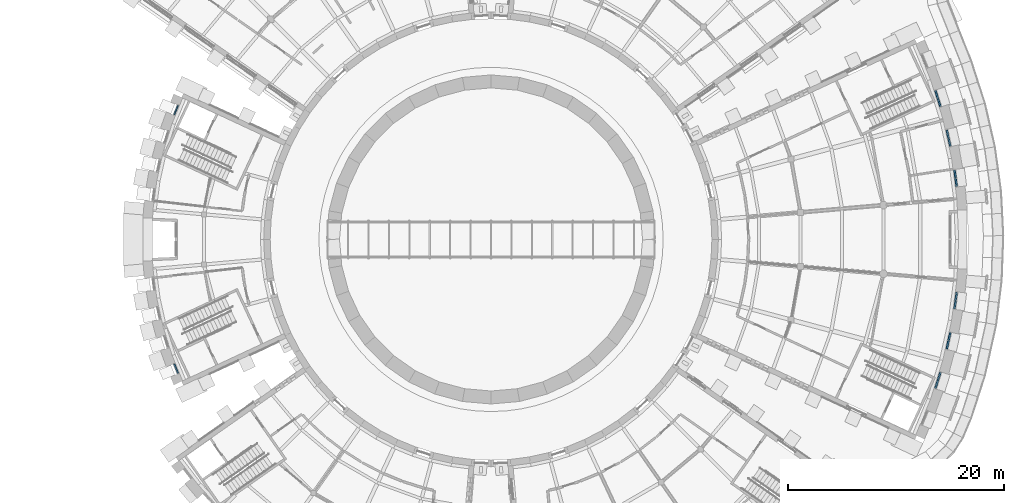
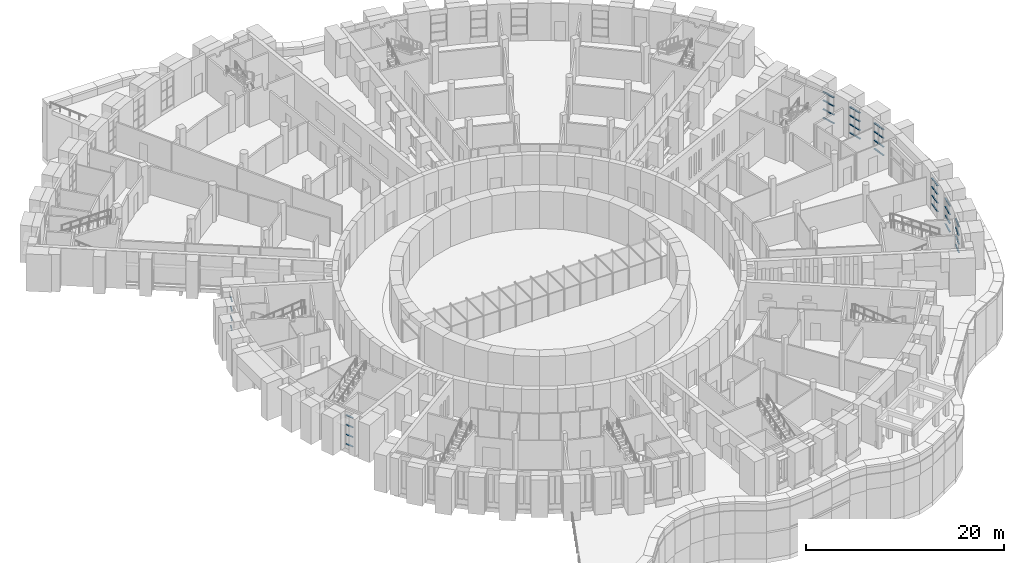
# One storey, part 30 of 85: 56 members, 8 elements without a shape of their own.
"""IFC4 building model written with IfcOpenShell, lengths in metres."""

from ifc_helpers import new_model, si_unit, direction, frame, origin, origin_2d, place, context, subcontext, project, spatial, rectangle, extrude, material, layer, layer_set, material_profile, profile_set, type_object, element, aggregate, save


model = new_model("IFC4")

# Units and contexts
model_context = context("Model", 3, precision=1e-05, world=origin(), true_north=direction((0.0, 1.0)))
body_context = subcontext(model_context, "Body", "Model", "MODEL_VIEW")
ifc_project = project(units=[si_unit("LENGTHUNIT", "METRE"), si_unit("AREAUNIT", "SQUARE_METRE"), si_unit("VOLUMEUNIT", "CUBIC_METRE"), si_unit("PLANEANGLEUNIT", "RADIAN"), si_unit("MASSUNIT", "GRAM", prefix="KILO")], contexts=[model_context])

# Site, building, storey
site_placement = place(None, origin())
site = spatial("IfcSite", under=ifc_project, at=site_placement, CompositionType="ELEMENT")
building_placement = place(site_placement, origin())
building = spatial("IfcBuilding", under=site, at=building_placement, Name="Volute Hill Aquarium", CompositionType="ELEMENT")
storey_placement = place(building_placement, origin())
storey = spatial("IfcBuildingStorey", under=building, at=storey_placement, Name="L01", CompositionType="ELEMENT", Elevation=0.0)

# Curtain wall, members
ifc_material_1 = material(Name="Aluminium", Category="aluminium")
ifc_layer_1 = layer(ifc_material_1, 0.25)
ifc_layer_set_1 = layer_set([ifc_layer_1], Name="Curtain wall niche S1 module 993")
curtain_wall_type_1 = type_object("IfcCurtainWallType", Name="Curtain wall niche S1 module 993", PredefinedType="NOTDEFINED", material=ifc_layer_set_1)
curtain_wall_1_placement = place(storey_placement, origin())
curtain_wall_1 = element("IfcCurtainWall", 1, at=curtain_wall_1_placement, inside=storey, type_object=curtain_wall_type_1, Name="Curtain wall CW S1 L01 1", PredefinedType="NOTDEFINED")
ifc_material_2 = material(Name="Aluminium", Category="aluminium")
ifc_material_profile_1 = material_profile(ifc_material_2, rectangle(XDim=0.1201171875, YDim=0.050048828125, at=origin_2d()), Name="Curtain wall transom S1 50x120")
ifc_profile_set_1 = profile_set([ifc_material_profile_1], Name="Aluminium")
member_type_1 = type_object("IfcMemberType", Name="Curtain wall transom S1 50x120", PredefinedType="USERDEFINED", material=ifc_profile_set_1)
member_1_placement = place(storey_placement, frame((-28.918701171875, 12.353271484375, 0.47509765625), z_axis=(-0.382633610127, -0.923900167984, 0.0), x_axis=(0.923900167984, -0.382633610127, 0.0)))
member_1 = element("IfcMember", 2, at=member_1_placement, type_object=member_type_1, Name="CW transom 1.1", ObjectType="TRANSOM", PredefinedType="USERDEFINED", context=body_context, shape_type="SweptSolid", body=[
    extrude(rectangle(XDim=0.1201171875, YDim=0.050048828125, at=origin_2d()), origin(), (0.0, 0.0, 1.0), 0.892578125),
])
member_2_placement = place(storey_placement, frame((-28.918701171875, 12.353271484375, 1.64990234375), z_axis=(-0.382633610127, -0.923900167984, 0.0), x_axis=(0.923900167984, -0.382633610127, 0.0)))
member_2 = element("IfcMember", 3, at=member_2_placement, type_object=member_type_1, Name="CW transom 1.2", ObjectType="TRANSOM", PredefinedType="USERDEFINED", context=body_context, shape_type="SweptSolid", body=[
    extrude(rectangle(XDim=0.1201171875, YDim=0.050048828125, at=origin_2d()), origin(), (0.0, 0.0, 1.0), 0.892578125),
])
member_3_placement = place(storey_placement, frame((-28.918701171875, 12.353271484375, 2.85009765625), z_axis=(-0.382633610127, -0.923900167984, 0.0), x_axis=(0.923900167984, -0.382633610127, 0.0)))
member_3 = element("IfcMember", 4, at=member_3_placement, type_object=member_type_1, Name="CW transom 1.3", ObjectType="TRANSOM", PredefinedType="USERDEFINED", context=body_context, shape_type="SweptSolid", body=[
    extrude(rectangle(XDim=0.1201171875, YDim=0.050048828125, at=origin_2d()), origin(), (0.0, 0.0, 1.0), 0.892578125),
])
member_4_placement = place(storey_placement, frame((-28.918701171875, 12.353271484375, 4.02490234375), z_axis=(-0.382633610127, -0.923900167984, 0.0), x_axis=(0.923900167984, -0.382633610127, 0.0)))
member_4 = element("IfcMember", 5, at=member_4_placement, type_object=member_type_1, Name="CW transom 1.4", ObjectType="TRANSOM", PredefinedType="USERDEFINED", context=body_context, shape_type="SweptSolid", body=[
    extrude(rectangle(XDim=0.1201171875, YDim=0.050048828125, at=origin_2d()), origin(), (0.0, 0.0, 1.0), 0.892578125),
])
aggregate(curtain_wall_1, [member_1, member_2, member_3, member_4])

curtain_wall_2_placement = place(storey_placement, origin())
curtain_wall_2 = element("IfcCurtainWall", 6, at=curtain_wall_2_placement, inside=storey, type_object=curtain_wall_type_1, Name="Curtain wall CW S1 L01 10", PredefinedType="NOTDEFINED")
member_5_placement = place(storey_placement, frame((-29.26025390625, -11.528564453125, 0.47509765625), z_axis=(0.382633610127, -0.923900167984, 0.0), x_axis=(0.923900167984, 0.382633610127, 0.0)))
member_5 = element("IfcMember", 7, at=member_5_placement, type_object=member_type_1, Name="CW transom 1.1", ObjectType="TRANSOM", PredefinedType="USERDEFINED", context=body_context, shape_type="SweptSolid", body=[
    extrude(rectangle(XDim=0.1201171875, YDim=0.050048828125, at=origin_2d()), origin(), (0.0, 0.0, 1.0), 0.892578125),
])
member_6_placement = place(storey_placement, frame((-29.26025390625, -11.528564453125, 1.64990234375), z_axis=(0.382633610127, -0.923900167984, 0.0), x_axis=(0.923900167984, 0.382633610127, 0.0)))
member_6 = element("IfcMember", 8, at=member_6_placement, type_object=member_type_1, Name="CW transom 1.2", ObjectType="TRANSOM", PredefinedType="USERDEFINED", context=body_context, shape_type="SweptSolid", body=[
    extrude(rectangle(XDim=0.1201171875, YDim=0.050048828125, at=origin_2d()), origin(), (0.0, 0.0, 1.0), 0.892578125),
])
member_7_placement = place(storey_placement, frame((-29.26025390625, -11.528564453125, 2.85009765625), z_axis=(0.382633610127, -0.923900167984, 0.0), x_axis=(0.923900167984, 0.382633610127, 0.0)))
member_7 = element("IfcMember", 9, at=member_7_placement, type_object=member_type_1, Name="CW transom 1.3", ObjectType="TRANSOM", PredefinedType="USERDEFINED", context=body_context, shape_type="SweptSolid", body=[
    extrude(rectangle(XDim=0.1201171875, YDim=0.050048828125, at=origin_2d()), origin(), (0.0, 0.0, 1.0), 0.892578125),
])
member_8_placement = place(storey_placement, frame((-29.26025390625, -11.528564453125, 4.02490234375), z_axis=(0.382633610127, -0.923900167984, 0.0), x_axis=(0.923900167984, 0.382633610127, 0.0)))
member_8 = element("IfcMember", 10, at=member_8_placement, type_object=member_type_1, Name="CW transom 1.4", ObjectType="TRANSOM", PredefinedType="USERDEFINED", context=body_context, shape_type="SweptSolid", body=[
    extrude(rectangle(XDim=0.1201171875, YDim=0.050048828125, at=origin_2d()), origin(), (0.0, 0.0, 1.0), 0.892578125),
])
aggregate(curtain_wall_2, [member_5, member_6, member_7, member_8])

ifc_material_3 = material(Name="Aluminium", Category="aluminium")
ifc_layer_2 = layer(ifc_material_3, 0.25)
ifc_layer_set_2 = layer_set([ifc_layer_2], Name="Curtain wall niche S4 module 819")
curtain_wall_type_2 = type_object("IfcCurtainWallType", Name="Curtain wall niche S4 module 819", PredefinedType="NOTDEFINED", material=ifc_layer_set_2)
curtain_wall_3_placement = place(storey_placement, origin())
curtain_wall_3 = element("IfcCurtainWall", 11, at=curtain_wall_3_placement, inside=storey, type_object=curtain_wall_type_2, Name="Curtain wall CW S4 L01 2", PredefinedType="NOTDEFINED")
ifc_material_4 = material(Name="Aluminium", Category="aluminium")
ifc_material_profile_2 = material_profile(ifc_material_4, rectangle(XDim=0.14990234375, YDim=0.06005859375, at=origin_2d()), Name="Curtain wall transom S4 60x150")
ifc_profile_set_2 = profile_set([ifc_material_profile_2], Name="Aluminium")
member_type_2 = type_object("IfcMemberType", Name="Curtain wall transom S4 60x150", PredefinedType="USERDEFINED", material=ifc_profile_set_2)
member_9_placement = place(storey_placement, frame((41.052001953125, -13.7392578125, 0.780029296875), z_axis=(0.300810716557, 0.953683864184, 0.0), x_axis=(-0.953683864184, 0.300810716557, 0.0)))
member_9 = element("IfcMember", 12, at=member_9_placement, type_object=member_type_2, Name="CW transom 1.1", ObjectType="TRANSOM", PredefinedType="USERDEFINED", context=body_context, shape_type="SweptSolid", body=[
    extrude(rectangle(XDim=0.14990234375, YDim=0.06005859375, at=origin_2d()), origin(), (0.0, 0.0, 1.0), 0.728759765625),
])
member_10_placement = place(storey_placement, frame((41.052001953125, -13.7392578125, 1.833251953125), z_axis=(0.300810716557, 0.953683864184, 0.0), x_axis=(-0.953683864184, 0.300810716557, 0.0)))
member_10 = element("IfcMember", 13, at=member_10_placement, type_object=member_type_2, Name="CW transom 1.2", ObjectType="TRANSOM", PredefinedType="USERDEFINED", context=body_context, shape_type="SweptSolid", body=[
    extrude(rectangle(XDim=0.14990234375, YDim=0.06005859375, at=origin_2d()), origin(), (0.0, 0.0, 1.0), 0.728759765625),
])
member_11_placement = place(storey_placement, frame((41.052001953125, -13.7392578125, 2.916748046875), z_axis=(0.300810716557, 0.953683864184, 0.0), x_axis=(-0.953683864184, 0.300810716557, 0.0)))
member_11 = element("IfcMember", 14, at=member_11_placement, type_object=member_type_2, Name="CW transom 1.3", ObjectType="TRANSOM", PredefinedType="USERDEFINED", context=body_context, shape_type="SweptSolid", body=[
    extrude(rectangle(XDim=0.14990234375, YDim=0.06005859375, at=origin_2d()), origin(), (0.0, 0.0, 1.0), 0.728759765625),
])
member_12_placement = place(storey_placement, frame((41.052001953125, -13.7392578125, 3.969970703125), z_axis=(0.300810716557, 0.953683864184, 0.0), x_axis=(-0.953683864184, 0.300810716557, 0.0)))
member_12 = element("IfcMember", 15, at=member_12_placement, type_object=member_type_2, Name="CW transom 1.4", ObjectType="TRANSOM", PredefinedType="USERDEFINED", context=body_context, shape_type="SweptSolid", body=[
    extrude(rectangle(XDim=0.14990234375, YDim=0.06005859375, at=origin_2d()), origin(), (0.0, 0.0, 1.0), 0.728759765625),
])
member_13_placement = place(storey_placement, frame((41.289306640625, -12.987060546875, 0.780029296875), z_axis=(0.300506003221, 0.953779923267, 0.0), x_axis=(-0.953779923267, 0.300506003221, 0.0)))
member_13 = element("IfcMember", 16, at=member_13_placement, type_object=member_type_2, Name="CW transom 2.1", ObjectType="TRANSOM", PredefinedType="USERDEFINED", context=body_context, shape_type="SweptSolid", body=[
    extrude(rectangle(XDim=0.14990234375, YDim=0.06005859375, at=origin_2d()), origin(), (0.0, 0.0, 1.0), 0.728759765625),
])
member_14_placement = place(storey_placement, frame((41.289306640625, -12.987060546875, 1.833251953125), z_axis=(0.300506003221, 0.953779923267, 0.0), x_axis=(-0.953779923267, 0.300506003221, 0.0)))
member_14 = element("IfcMember", 17, at=member_14_placement, type_object=member_type_2, Name="CW transom 2.2", ObjectType="TRANSOM", PredefinedType="USERDEFINED", context=body_context, shape_type="SweptSolid", body=[
    extrude(rectangle(XDim=0.14990234375, YDim=0.06005859375, at=origin_2d()), origin(), (0.0, 0.0, 1.0), 0.728759765625),
])
member_15_placement = place(storey_placement, frame((41.289306640625, -12.987060546875, 2.916748046875), z_axis=(0.300506003221, 0.953779923267, 0.0), x_axis=(-0.953779923267, 0.300506003221, 0.0)))
member_15 = element("IfcMember", 18, at=member_15_placement, type_object=member_type_2, Name="CW transom 2.3", ObjectType="TRANSOM", PredefinedType="USERDEFINED", context=body_context, shape_type="SweptSolid", body=[
    extrude(rectangle(XDim=0.14990234375, YDim=0.06005859375, at=origin_2d()), origin(), (0.0, 0.0, 1.0), 0.728759765625),
])
member_16_placement = place(storey_placement, frame((41.289306640625, -12.987060546875, 3.969970703125), z_axis=(0.300506003221, 0.953779923267, 0.0), x_axis=(-0.953779923267, 0.300506003221, 0.0)))
member_16 = element("IfcMember", 19, at=member_16_placement, type_object=member_type_2, Name="CW transom 2.4", ObjectType="TRANSOM", PredefinedType="USERDEFINED", context=body_context, shape_type="SweptSolid", body=[
    extrude(rectangle(XDim=0.14990234375, YDim=0.06005859375, at=origin_2d()), origin(), (0.0, 0.0, 1.0), 0.728759765625),
])
aggregate(curtain_wall_3, [member_9, member_10, member_11, member_12, member_13, member_14, member_15, member_16])

curtain_wall_4_placement = place(storey_placement, origin())
curtain_wall_4 = element("IfcCurtainWall", 20, at=curtain_wall_4_placement, inside=storey, type_object=curtain_wall_type_2, Name="Curtain wall CW S4 L01 3", PredefinedType="NOTDEFINED")
member_17_placement = place(storey_placement, frame((42.09326171875, -10.109130859375, 0.780029296875), z_axis=(0.216433786926, 0.976297298919, 0.0), x_axis=(-0.976297298919, 0.216433786926, 0.0)))
member_17 = element("IfcMember", 21, at=member_17_placement, type_object=member_type_2, Name="CW transom 1.1", ObjectType="TRANSOM", PredefinedType="USERDEFINED", context=body_context, shape_type="SweptSolid", body=[
    extrude(rectangle(XDim=0.14990234375, YDim=0.06005859375, at=origin_2d()), origin(), (0.0, 0.0, 1.0), 0.728759765625),
])
member_18_placement = place(storey_placement, frame((42.09326171875, -10.109130859375, 1.833251953125), z_axis=(0.216433786926, 0.976297298919, 0.0), x_axis=(-0.976297298919, 0.216433786926, 0.0)))
member_18 = element("IfcMember", 22, at=member_18_placement, type_object=member_type_2, Name="CW transom 1.2", ObjectType="TRANSOM", PredefinedType="USERDEFINED", context=body_context, shape_type="SweptSolid", body=[
    extrude(rectangle(XDim=0.14990234375, YDim=0.06005859375, at=origin_2d()), origin(), (0.0, 0.0, 1.0), 0.728759765625),
])
member_19_placement = place(storey_placement, frame((42.09326171875, -10.109130859375, 2.916748046875), z_axis=(0.216433786926, 0.976297298919, 0.0), x_axis=(-0.976297298919, 0.216433786926, 0.0)))
member_19 = element("IfcMember", 23, at=member_19_placement, type_object=member_type_2, Name="CW transom 1.3", ObjectType="TRANSOM", PredefinedType="USERDEFINED", context=body_context, shape_type="SweptSolid", body=[
    extrude(rectangle(XDim=0.14990234375, YDim=0.06005859375, at=origin_2d()), origin(), (0.0, 0.0, 1.0), 0.728759765625),
])
member_20_placement = place(storey_placement, frame((42.09326171875, -10.109130859375, 3.969970703125), z_axis=(0.216433786926, 0.976297298919, 0.0), x_axis=(-0.976297298919, 0.216433786926, 0.0)))
member_20 = element("IfcMember", 24, at=member_20_placement, type_object=member_type_2, Name="CW transom 1.4", ObjectType="TRANSOM", PredefinedType="USERDEFINED", context=body_context, shape_type="SweptSolid", body=[
    extrude(rectangle(XDim=0.14990234375, YDim=0.06005859375, at=origin_2d()), origin(), (0.0, 0.0, 1.0), 0.728759765625),
])
member_21_placement = place(storey_placement, frame((42.263916015625, -9.339111328125, 0.780029296875), z_axis=(0.216433786926, 0.976297298919, 0.0), x_axis=(-0.976297298919, 0.216433786926, 0.0)))
member_21 = element("IfcMember", 25, at=member_21_placement, type_object=member_type_2, Name="CW transom 2.1", ObjectType="TRANSOM", PredefinedType="USERDEFINED", context=body_context, shape_type="SweptSolid", body=[
    extrude(rectangle(XDim=0.14990234375, YDim=0.06005859375, at=origin_2d()), origin(), (0.0, 0.0, 1.0), 0.728759765625),
])
member_22_placement = place(storey_placement, frame((42.263916015625, -9.339111328125, 1.833251953125), z_axis=(0.216433786926, 0.976297298919, 0.0), x_axis=(-0.976297298919, 0.216433786926, 0.0)))
member_22 = element("IfcMember", 26, at=member_22_placement, type_object=member_type_2, Name="CW transom 2.2", ObjectType="TRANSOM", PredefinedType="USERDEFINED", context=body_context, shape_type="SweptSolid", body=[
    extrude(rectangle(XDim=0.14990234375, YDim=0.06005859375, at=origin_2d()), origin(), (0.0, 0.0, 1.0), 0.728759765625),
])
member_23_placement = place(storey_placement, frame((42.263916015625, -9.339111328125, 2.916748046875), z_axis=(0.216433786926, 0.976297298919, 0.0), x_axis=(-0.976297298919, 0.216433786926, 0.0)))
member_23 = element("IfcMember", 27, at=member_23_placement, type_object=member_type_2, Name="CW transom 2.3", ObjectType="TRANSOM", PredefinedType="USERDEFINED", context=body_context, shape_type="SweptSolid", body=[
    extrude(rectangle(XDim=0.14990234375, YDim=0.06005859375, at=origin_2d()), origin(), (0.0, 0.0, 1.0), 0.728759765625),
])
member_24_placement = place(storey_placement, frame((42.263916015625, -9.339111328125, 3.969970703125), z_axis=(0.216433786926, 0.976297298919, 0.0), x_axis=(-0.976297298919, 0.216433786926, 0.0)))
member_24 = element("IfcMember", 28, at=member_24_placement, type_object=member_type_2, Name="CW transom 2.4", ObjectType="TRANSOM", PredefinedType="USERDEFINED", context=body_context, shape_type="SweptSolid", body=[
    extrude(rectangle(XDim=0.14990234375, YDim=0.06005859375, at=origin_2d()), origin(), (0.0, 0.0, 1.0), 0.728759765625),
])
aggregate(curtain_wall_4, [member_17, member_18, member_19, member_20, member_21, member_22, member_23, member_24])

curtain_wall_5_placement = place(storey_placement, origin())
curtain_wall_5 = element("IfcCurtainWall", 29, at=curtain_wall_5_placement, inside=storey, type_object=curtain_wall_type_2, Name="Curtain wall CW S4 L01 4", PredefinedType="NOTDEFINED")
member_25_placement = place(storey_placement, frame((42.814208984375, -6.40185546875, 0.780029296875), z_axis=(0.130341833664, 0.991469115201, 0.0), x_axis=(-0.991469115201, 0.130341833664, 0.0)))
member_25 = element("IfcMember", 30, at=member_25_placement, type_object=member_type_2, Name="CW transom 1.1", ObjectType="TRANSOM", PredefinedType="USERDEFINED", context=body_context, shape_type="SweptSolid", body=[
    extrude(rectangle(XDim=0.14990234375, YDim=0.06005859375, at=origin_2d()), origin(), (0.0, 0.0, 1.0), 0.728515625),
])
member_26_placement = place(storey_placement, frame((42.814208984375, -6.40185546875, 1.833251953125), z_axis=(0.130341833664, 0.991469115201, 0.0), x_axis=(-0.991469115201, 0.130341833664, 0.0)))
member_26 = element("IfcMember", 31, at=member_26_placement, type_object=member_type_2, Name="CW transom 1.2", ObjectType="TRANSOM", PredefinedType="USERDEFINED", context=body_context, shape_type="SweptSolid", body=[
    extrude(rectangle(XDim=0.14990234375, YDim=0.06005859375, at=origin_2d()), origin(), (0.0, 0.0, 1.0), 0.728515625),
])
member_27_placement = place(storey_placement, frame((42.814208984375, -6.40185546875, 2.916748046875), z_axis=(0.130341833664, 0.991469115201, 0.0), x_axis=(-0.991469115201, 0.130341833664, 0.0)))
member_27 = element("IfcMember", 32, at=member_27_placement, type_object=member_type_2, Name="CW transom 1.3", ObjectType="TRANSOM", PredefinedType="USERDEFINED", context=body_context, shape_type="SweptSolid", body=[
    extrude(rectangle(XDim=0.14990234375, YDim=0.06005859375, at=origin_2d()), origin(), (0.0, 0.0, 1.0), 0.728515625),
])
member_28_placement = place(storey_placement, frame((42.814208984375, -6.40185546875, 3.969970703125), z_axis=(0.130341833664, 0.991469115201, 0.0), x_axis=(-0.991469115201, 0.130341833664, 0.0)))
member_28 = element("IfcMember", 33, at=member_28_placement, type_object=member_type_2, Name="CW transom 1.4", ObjectType="TRANSOM", PredefinedType="USERDEFINED", context=body_context, shape_type="SweptSolid", body=[
    extrude(rectangle(XDim=0.14990234375, YDim=0.06005859375, at=origin_2d()), origin(), (0.0, 0.0, 1.0), 0.728515625),
])
member_29_placement = place(storey_placement, frame((42.9169921875, -5.619873046875, 0.780029296875), z_axis=(0.130671188566, 0.991425761456, 0.0), x_axis=(-0.991425761456, 0.130671188566, 0.0)))
member_29 = element("IfcMember", 34, at=member_29_placement, type_object=member_type_2, Name="CW transom 2.1", ObjectType="TRANSOM", PredefinedType="USERDEFINED", context=body_context, shape_type="SweptSolid", body=[
    extrude(rectangle(XDim=0.14990234375, YDim=0.06005859375, at=origin_2d()), origin(), (0.0, 0.0, 1.0), 0.728759765625),
])
member_30_placement = place(storey_placement, frame((42.9169921875, -5.619873046875, 1.833251953125), z_axis=(0.130671188566, 0.991425761456, 0.0), x_axis=(-0.991425761456, 0.130671188566, 0.0)))
member_30 = element("IfcMember", 35, at=member_30_placement, type_object=member_type_2, Name="CW transom 2.2", ObjectType="TRANSOM", PredefinedType="USERDEFINED", context=body_context, shape_type="SweptSolid", body=[
    extrude(rectangle(XDim=0.14990234375, YDim=0.06005859375, at=origin_2d()), origin(), (0.0, 0.0, 1.0), 0.728759765625),
])
member_31_placement = place(storey_placement, frame((42.9169921875, -5.619873046875, 2.916748046875), z_axis=(0.130671188566, 0.991425761456, 0.0), x_axis=(-0.991425761456, 0.130671188566, 0.0)))
member_31 = element("IfcMember", 36, at=member_31_placement, type_object=member_type_2, Name="CW transom 2.3", ObjectType="TRANSOM", PredefinedType="USERDEFINED", context=body_context, shape_type="SweptSolid", body=[
    extrude(rectangle(XDim=0.14990234375, YDim=0.06005859375, at=origin_2d()), origin(), (0.0, 0.0, 1.0), 0.728759765625),
])
member_32_placement = place(storey_placement, frame((42.9169921875, -5.619873046875, 3.969970703125), z_axis=(0.130671188566, 0.991425761456, 0.0), x_axis=(-0.991425761456, 0.130671188566, 0.0)))
member_32 = element("IfcMember", 37, at=member_32_placement, type_object=member_type_2, Name="CW transom 2.4", ObjectType="TRANSOM", PredefinedType="USERDEFINED", context=body_context, shape_type="SweptSolid", body=[
    extrude(rectangle(XDim=0.14990234375, YDim=0.06005859375, at=origin_2d()), origin(), (0.0, 0.0, 1.0), 0.728759765625),
])
aggregate(curtain_wall_5, [member_25, member_26, member_27, member_28, member_29, member_30, member_31, member_32])

curtain_wall_6_placement = place(storey_placement, origin())
curtain_wall_6 = element("IfcCurtainWall", 38, at=curtain_wall_6_placement, inside=storey, type_object=curtain_wall_type_2, Name="Curtain wall CW S4 L01 7", PredefinedType="NOTDEFINED")
member_33_placement = place(storey_placement, frame((43.01220703125, 4.8974609375, 0.780029296875), z_axis=(-0.130671188566, 0.991425761456, 0.0), x_axis=(-0.991425761456, -0.130671188566, 0.0)))
member_33 = element("IfcMember", 39, at=member_33_placement, type_object=member_type_2, Name="CW transom 1.1", ObjectType="TRANSOM", PredefinedType="USERDEFINED", context=body_context, shape_type="SweptSolid", body=[
    extrude(rectangle(XDim=0.14990234375, YDim=0.06005859375, at=origin_2d()), origin(), (0.0, 0.0, 1.0), 0.728759765625),
])
member_34_placement = place(storey_placement, frame((43.01220703125, 4.8974609375, 1.833251953125), z_axis=(-0.130671188566, 0.991425761456, 0.0), x_axis=(-0.991425761456, -0.130671188566, 0.0)))
member_34 = element("IfcMember", 40, at=member_34_placement, type_object=member_type_2, Name="CW transom 1.2", ObjectType="TRANSOM", PredefinedType="USERDEFINED", context=body_context, shape_type="SweptSolid", body=[
    extrude(rectangle(XDim=0.14990234375, YDim=0.06005859375, at=origin_2d()), origin(), (0.0, 0.0, 1.0), 0.728759765625),
])
member_35_placement = place(storey_placement, frame((43.01220703125, 4.8974609375, 2.916748046875), z_axis=(-0.130671188566, 0.991425761456, 0.0), x_axis=(-0.991425761456, -0.130671188566, 0.0)))
member_35 = element("IfcMember", 41, at=member_35_placement, type_object=member_type_2, Name="CW transom 1.3", ObjectType="TRANSOM", PredefinedType="USERDEFINED", context=body_context, shape_type="SweptSolid", body=[
    extrude(rectangle(XDim=0.14990234375, YDim=0.06005859375, at=origin_2d()), origin(), (0.0, 0.0, 1.0), 0.728759765625),
])
member_36_placement = place(storey_placement, frame((43.01220703125, 4.8974609375, 3.969970703125), z_axis=(-0.130671188566, 0.991425761456, 0.0), x_axis=(-0.991425761456, -0.130671188566, 0.0)))
member_36 = element("IfcMember", 42, at=member_36_placement, type_object=member_type_2, Name="CW transom 1.4", ObjectType="TRANSOM", PredefinedType="USERDEFINED", context=body_context, shape_type="SweptSolid", body=[
    extrude(rectangle(XDim=0.14990234375, YDim=0.06005859375, at=origin_2d()), origin(), (0.0, 0.0, 1.0), 0.728759765625),
])
member_37_placement = place(storey_placement, frame((42.9091796875, 5.679443359375, 0.780029296875), z_axis=(-0.130341833664, 0.991469115201, 0.0), x_axis=(-0.991469115201, -0.130341833664, 0.0)))
member_37 = element("IfcMember", 43, at=member_37_placement, type_object=member_type_2, Name="CW transom 2.1", ObjectType="TRANSOM", PredefinedType="USERDEFINED", context=body_context, shape_type="SweptSolid", body=[
    extrude(rectangle(XDim=0.14990234375, YDim=0.06005859375, at=origin_2d()), origin(), (0.0, 0.0, 1.0), 0.728515625),
])
member_38_placement = place(storey_placement, frame((42.9091796875, 5.679443359375, 1.833251953125), z_axis=(-0.130341833664, 0.991469115201, 0.0), x_axis=(-0.991469115201, -0.130341833664, 0.0)))
member_38 = element("IfcMember", 44, at=member_38_placement, type_object=member_type_2, Name="CW transom 2.2", ObjectType="TRANSOM", PredefinedType="USERDEFINED", context=body_context, shape_type="SweptSolid", body=[
    extrude(rectangle(XDim=0.14990234375, YDim=0.06005859375, at=origin_2d()), origin(), (0.0, 0.0, 1.0), 0.728515625),
])
member_39_placement = place(storey_placement, frame((42.9091796875, 5.679443359375, 2.916748046875), z_axis=(-0.130341833664, 0.991469115201, 0.0), x_axis=(-0.991469115201, -0.130341833664, 0.0)))
member_39 = element("IfcMember", 45, at=member_39_placement, type_object=member_type_2, Name="CW transom 2.3", ObjectType="TRANSOM", PredefinedType="USERDEFINED", context=body_context, shape_type="SweptSolid", body=[
    extrude(rectangle(XDim=0.14990234375, YDim=0.06005859375, at=origin_2d()), origin(), (0.0, 0.0, 1.0), 0.728515625),
])
member_40_placement = place(storey_placement, frame((42.9091796875, 5.679443359375, 3.969970703125), z_axis=(-0.130341833664, 0.991469115201, 0.0), x_axis=(-0.991469115201, -0.130341833664, 0.0)))
member_40 = element("IfcMember", 46, at=member_40_placement, type_object=member_type_2, Name="CW transom 2.4", ObjectType="TRANSOM", PredefinedType="USERDEFINED", context=body_context, shape_type="SweptSolid", body=[
    extrude(rectangle(XDim=0.14990234375, YDim=0.06005859375, at=origin_2d()), origin(), (0.0, 0.0, 1.0), 0.728515625),
])
aggregate(curtain_wall_6, [member_33, member_34, member_35, member_36, member_37, member_38, member_39, member_40])

curtain_wall_7_placement = place(storey_placement, origin())
curtain_wall_7 = element("IfcCurtainWall", 47, at=curtain_wall_7_placement, inside=storey, type_object=curtain_wall_type_2, Name="Curtain wall CW S4 L01 8", PredefinedType="NOTDEFINED")
member_41_placement = place(storey_placement, frame((42.421630859375, 8.62744140625, 0.780029296875), z_axis=(-0.216433786926, 0.976297298919, 0.0), x_axis=(-0.976297298919, -0.216433786926, 0.0)))
member_41 = element("IfcMember", 48, at=member_41_placement, type_object=member_type_2, Name="CW transom 1.1", ObjectType="TRANSOM", PredefinedType="USERDEFINED", context=body_context, shape_type="SweptSolid", body=[
    extrude(rectangle(XDim=0.14990234375, YDim=0.06005859375, at=origin_2d()), origin(), (0.0, 0.0, 1.0), 0.728759765625),
])
member_42_placement = place(storey_placement, frame((42.421630859375, 8.62744140625, 1.833251953125), z_axis=(-0.216433786926, 0.976297298919, 0.0), x_axis=(-0.976297298919, -0.216433786926, 0.0)))
member_42 = element("IfcMember", 49, at=member_42_placement, type_object=member_type_2, Name="CW transom 1.2", ObjectType="TRANSOM", PredefinedType="USERDEFINED", context=body_context, shape_type="SweptSolid", body=[
    extrude(rectangle(XDim=0.14990234375, YDim=0.06005859375, at=origin_2d()), origin(), (0.0, 0.0, 1.0), 0.728759765625),
])
member_43_placement = place(storey_placement, frame((42.421630859375, 8.62744140625, 2.916748046875), z_axis=(-0.216433786926, 0.976297298919, 0.0), x_axis=(-0.976297298919, -0.216433786926, 0.0)))
member_43 = element("IfcMember", 50, at=member_43_placement, type_object=member_type_2, Name="CW transom 1.3", ObjectType="TRANSOM", PredefinedType="USERDEFINED", context=body_context, shape_type="SweptSolid", body=[
    extrude(rectangle(XDim=0.14990234375, YDim=0.06005859375, at=origin_2d()), origin(), (0.0, 0.0, 1.0), 0.728759765625),
])
member_44_placement = place(storey_placement, frame((42.421630859375, 8.62744140625, 3.969970703125), z_axis=(-0.216433786926, 0.976297298919, 0.0), x_axis=(-0.976297298919, -0.216433786926, 0.0)))
member_44 = element("IfcMember", 51, at=member_44_placement, type_object=member_type_2, Name="CW transom 1.4", ObjectType="TRANSOM", PredefinedType="USERDEFINED", context=body_context, shape_type="SweptSolid", body=[
    extrude(rectangle(XDim=0.14990234375, YDim=0.06005859375, at=origin_2d()), origin(), (0.0, 0.0, 1.0), 0.728759765625),
])
member_45_placement = place(storey_placement, frame((42.2509765625, 9.3974609375, 0.780029296875), z_axis=(-0.216433786926, 0.976297298919, 0.0), x_axis=(-0.976297298919, -0.216433786926, 0.0)))
member_45 = element("IfcMember", 52, at=member_45_placement, type_object=member_type_2, Name="CW transom 2.1", ObjectType="TRANSOM", PredefinedType="USERDEFINED", context=body_context, shape_type="SweptSolid", body=[
    extrude(rectangle(XDim=0.14990234375, YDim=0.06005859375, at=origin_2d()), origin(), (0.0, 0.0, 1.0), 0.728759765625),
])
member_46_placement = place(storey_placement, frame((42.2509765625, 9.3974609375, 1.833251953125), z_axis=(-0.216433786926, 0.976297298919, 0.0), x_axis=(-0.976297298919, -0.216433786926, 0.0)))
member_46 = element("IfcMember", 53, at=member_46_placement, type_object=member_type_2, Name="CW transom 2.2", ObjectType="TRANSOM", PredefinedType="USERDEFINED", context=body_context, shape_type="SweptSolid", body=[
    extrude(rectangle(XDim=0.14990234375, YDim=0.06005859375, at=origin_2d()), origin(), (0.0, 0.0, 1.0), 0.728759765625),
])
member_47_placement = place(storey_placement, frame((42.2509765625, 9.3974609375, 2.916748046875), z_axis=(-0.216433786926, 0.976297298919, 0.0), x_axis=(-0.976297298919, -0.216433786926, 0.0)))
member_47 = element("IfcMember", 54, at=member_47_placement, type_object=member_type_2, Name="CW transom 2.3", ObjectType="TRANSOM", PredefinedType="USERDEFINED", context=body_context, shape_type="SweptSolid", body=[
    extrude(rectangle(XDim=0.14990234375, YDim=0.06005859375, at=origin_2d()), origin(), (0.0, 0.0, 1.0), 0.728759765625),
])
member_48_placement = place(storey_placement, frame((42.2509765625, 9.3974609375, 3.969970703125), z_axis=(-0.216433786926, 0.976297298919, 0.0), x_axis=(-0.976297298919, -0.216433786926, 0.0)))
member_48 = element("IfcMember", 55, at=member_48_placement, type_object=member_type_2, Name="CW transom 2.4", ObjectType="TRANSOM", PredefinedType="USERDEFINED", context=body_context, shape_type="SweptSolid", body=[
    extrude(rectangle(XDim=0.14990234375, YDim=0.06005859375, at=origin_2d()), origin(), (0.0, 0.0, 1.0), 0.728759765625),
])
aggregate(curtain_wall_7, [member_41, member_42, member_43, member_44, member_45, member_46, member_47, member_48])

curtain_wall_8_placement = place(storey_placement, origin())
curtain_wall_8 = element("IfcCurtainWall", 56, at=curtain_wall_8_placement, inside=storey, type_object=curtain_wall_type_2, Name="Curtain wall CW S4 L01 9", PredefinedType="NOTDEFINED")
member_49_placement = place(storey_placement, frame((41.50830078125, 12.2919921875, 0.780029296875), z_axis=(-0.300506003221, 0.953779923267, 0.0), x_axis=(-0.953779923267, -0.300506003221, 0.0)))
member_49 = element("IfcMember", 57, at=member_49_placement, type_object=member_type_2, Name="CW transom 1.1", ObjectType="TRANSOM", PredefinedType="USERDEFINED", context=body_context, shape_type="SweptSolid", body=[
    extrude(rectangle(XDim=0.14990234375, YDim=0.06005859375, at=origin_2d()), origin(), (0.0, 0.0, 1.0), 0.728759765625),
])
member_50_placement = place(storey_placement, frame((41.50830078125, 12.2919921875, 1.833251953125), z_axis=(-0.300506003221, 0.953779923267, 0.0), x_axis=(-0.953779923267, -0.300506003221, 0.0)))
member_50 = element("IfcMember", 58, at=member_50_placement, type_object=member_type_2, Name="CW transom 1.2", ObjectType="TRANSOM", PredefinedType="USERDEFINED", context=body_context, shape_type="SweptSolid", body=[
    extrude(rectangle(XDim=0.14990234375, YDim=0.06005859375, at=origin_2d()), origin(), (0.0, 0.0, 1.0), 0.728759765625),
])
member_51_placement = place(storey_placement, frame((41.50830078125, 12.2919921875, 2.916748046875), z_axis=(-0.300506003221, 0.953779923267, 0.0), x_axis=(-0.953779923267, -0.300506003221, 0.0)))
member_51 = element("IfcMember", 59, at=member_51_placement, type_object=member_type_2, Name="CW transom 1.3", ObjectType="TRANSOM", PredefinedType="USERDEFINED", context=body_context, shape_type="SweptSolid", body=[
    extrude(rectangle(XDim=0.14990234375, YDim=0.06005859375, at=origin_2d()), origin(), (0.0, 0.0, 1.0), 0.728759765625),
])
member_52_placement = place(storey_placement, frame((41.50830078125, 12.2919921875, 3.969970703125), z_axis=(-0.300506003221, 0.953779923267, 0.0), x_axis=(-0.953779923267, -0.300506003221, 0.0)))
member_52 = element("IfcMember", 60, at=member_52_placement, type_object=member_type_2, Name="CW transom 1.4", ObjectType="TRANSOM", PredefinedType="USERDEFINED", context=body_context, shape_type="SweptSolid", body=[
    extrude(rectangle(XDim=0.14990234375, YDim=0.06005859375, at=origin_2d()), origin(), (0.0, 0.0, 1.0), 0.728759765625),
])
member_53_placement = place(storey_placement, frame((41.271240234375, 13.044189453125, 0.780029296875), z_axis=(-0.300810716557, 0.953683864184, 0.0), x_axis=(-0.953683864184, -0.300810716557, 0.0)))
member_53 = element("IfcMember", 61, at=member_53_placement, type_object=member_type_2, Name="CW transom 2.1", ObjectType="TRANSOM", PredefinedType="USERDEFINED", context=body_context, shape_type="SweptSolid", body=[
    extrude(rectangle(XDim=0.14990234375, YDim=0.06005859375, at=origin_2d()), origin(), (0.0, 0.0, 1.0), 0.728759765625),
])
member_54_placement = place(storey_placement, frame((41.271240234375, 13.044189453125, 1.833251953125), z_axis=(-0.300810716557, 0.953683864184, 0.0), x_axis=(-0.953683864184, -0.300810716557, 0.0)))
member_54 = element("IfcMember", 62, at=member_54_placement, type_object=member_type_2, Name="CW transom 2.2", ObjectType="TRANSOM", PredefinedType="USERDEFINED", context=body_context, shape_type="SweptSolid", body=[
    extrude(rectangle(XDim=0.14990234375, YDim=0.06005859375, at=origin_2d()), origin(), (0.0, 0.0, 1.0), 0.728759765625),
])
member_55_placement = place(storey_placement, frame((41.271240234375, 13.044189453125, 2.916748046875), z_axis=(-0.300810716557, 0.953683864184, 0.0), x_axis=(-0.953683864184, -0.300810716557, 0.0)))
member_55 = element("IfcMember", 63, at=member_55_placement, type_object=member_type_2, Name="CW transom 2.3", ObjectType="TRANSOM", PredefinedType="USERDEFINED", context=body_context, shape_type="SweptSolid", body=[
    extrude(rectangle(XDim=0.14990234375, YDim=0.06005859375, at=origin_2d()), origin(), (0.0, 0.0, 1.0), 0.728759765625),
])
member_56_placement = place(storey_placement, frame((41.271240234375, 13.044189453125, 3.969970703125), z_axis=(-0.300810716557, 0.953683864184, 0.0), x_axis=(-0.953683864184, -0.300810716557, 0.0)))
member_56 = element("IfcMember", 64, at=member_56_placement, type_object=member_type_2, Name="CW transom 2.4", ObjectType="TRANSOM", PredefinedType="USERDEFINED", context=body_context, shape_type="SweptSolid", body=[
    extrude(rectangle(XDim=0.14990234375, YDim=0.06005859375, at=origin_2d()), origin(), (0.0, 0.0, 1.0), 0.728759765625),
])
aggregate(curtain_wall_8, [member_49, member_50, member_51, member_52, member_53, member_54, member_55, member_56])

save(model, "model.ifc")
